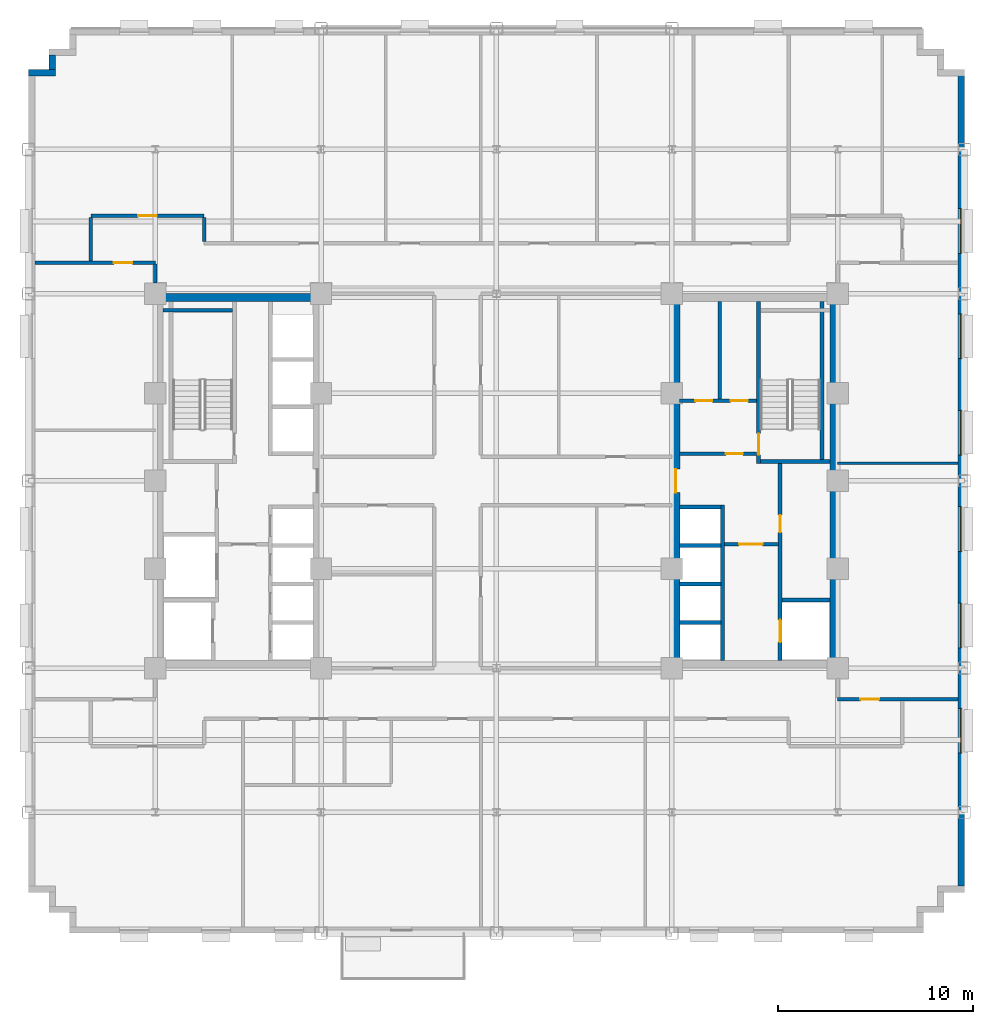
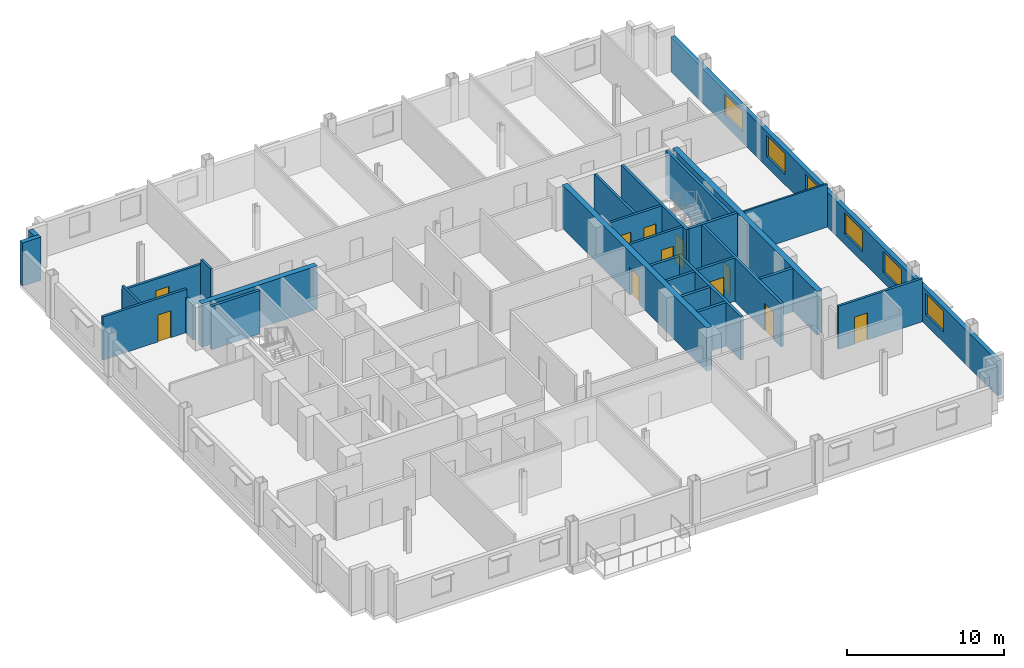
# One storey, part 8 of 14: 28 walls, 11 doors, 6 windows, 17 openings.
"""IFC4 building model written with IfcOpenShell, lengths in metres."""

import ifcopenshell
import ifcopenshell.guid

model = None  # the IFC model being written
_history = None  # IfcOwnerHistory: only IFC2X3 demands one
_inside = {}  # id of a spatial element -> (the spatial element, [elements in it])
_under = {}  # id of a project, library or spatial element -> (it, [spatial elements below it])
_declared = {}  # id of a project -> (the project, [libraries it declares])
_typed = {}  # id of a type object -> (the type object, [elements of that type])
_made_of = {}  # id of a material, layer set ... -> (it, [elements and type objects made of it])


def new_model(schema):
    """Start an empty IFC model of exactly this schema.

    Asked for "IFC4X3", IfcOpenShell would pick the latest addendum, in which some entities
    have other attributes; the version numbers below select the first issue.
    IFC2X3 requires an IfcOwnerHistory on every rooted entity: one is made here for all.
    """
    global model, _history
    if schema == "IFC4X3":
        model = ifcopenshell.file(schema_version=(4, 3, 0, 0))
    else:
        model = ifcopenshell.file(schema=schema)
    _inside.clear()
    _under.clear()
    _declared.clear()
    _typed.clear()
    _made_of.clear()
    _history = None
    if model.schema == "IFC2X3":
        org = make("IfcOrganization", Name="unknown")
        user = make(
            "IfcPersonAndOrganization",
            ThePerson=make("IfcPerson", FamilyName="unknown"),
            TheOrganization=org,
        )
        app = make(
            "IfcApplication",
            ApplicationDeveloper=org,
            Version="unknown",
            ApplicationFullName="unknown",
            ApplicationIdentifier="unknown",
        )
        _history = make(
            "IfcOwnerHistory",
            OwningUser=user,
            OwningApplication=app,
            ChangeAction="ADDED",
            CreationDate=0,
        )
    return model


def make(cls, **values):
    """One entity of the class cls with the attributes given. An attribute that is None is left unset."""
    return model.create_entity(
        cls, **{name: value for name, value in values.items() if value is not None}
    )


def rooted(cls, **values):
    """An entity with a GlobalId (a new one), such as an element, a storey or a relation."""
    return make(cls, GlobalId=ifcopenshell.guid.new(), OwnerHistory=_history, **values)


def si_unit(unit_type, name, prefix=None):
    """IfcSIUnit, for example si_unit("LENGTHUNIT", "METRE", prefix="MILLI")."""
    return make("IfcSIUnit", UnitType=unit_type, Prefix=prefix, Name=name)


def assignment(units):
    """IfcUnitAssignment: the units of a project."""
    return None if units is None else make("IfcUnitAssignment", Units=units)


def point(xyz):
    """IfcCartesianPoint."""
    return None if xyz is None else make("IfcCartesianPoint", Coordinates=xyz)


def direction(xyz):
    """IfcDirection."""
    return None if xyz is None else make("IfcDirection", DirectionRatios=xyz)


def frame(location, z_axis=None, x_axis=None):
    """IfcAxis2Placement3D, a coordinate frame: its origin and axes. An axis left out is left unset."""
    return make(
        "IfcAxis2Placement3D",
        Location=point(location),
        Axis=direction(z_axis),
        RefDirection=direction(x_axis),
    )


def frame_2d(location, x_axis=None):
    """IfcAxis2Placement2D, a coordinate frame in the plane: its origin and x axis."""
    return make(
        "IfcAxis2Placement2D", Location=point(location), RefDirection=direction(x_axis)
    )


def origin():
    """The frame at (0, 0, 0) with its axes left unset."""
    return frame((0.0, 0.0, 0.0))


def place(relative_to, where):
    """IfcLocalPlacement: puts the frame where relative to a parent placement (None: the world)."""
    return make(
        "IfcLocalPlacement", PlacementRelTo=relative_to, RelativePlacement=where
    )


def context(
    kind, dimensions, precision=None, world=None, true_north=None, identifier=None
):
    """IfcGeometricRepresentationContext, for example the 3D "Model" context."""
    return make(
        "IfcGeometricRepresentationContext",
        ContextIdentifier=identifier,
        ContextType=kind,
        CoordinateSpaceDimension=dimensions,
        Precision=precision,
        WorldCoordinateSystem=world,
        TrueNorth=true_north,
    )


def subcontext(parent, identifier, kind, view, scale=None):
    """IfcGeometricRepresentationSubContext, for example "Body" below "Model"."""
    return make(
        "IfcGeometricRepresentationSubContext",
        ContextIdentifier=identifier,
        ContextType=kind,
        ParentContext=parent,
        TargetScale=scale,
        TargetView=view,
    )


def project(units=None, contexts=None):
    """IfcProject with its units and contexts."""
    return rooted(
        "IfcProject",
        Name="project",
        RepresentationContexts=contexts,
        UnitsInContext=assignment(units),
    )


def spatial(cls, under=None, at=None, **own):
    """A site, building, storey or space (cls), placed at a placement, below another one or the project."""
    s = rooted(cls, ObjectPlacement=at, **own)
    if under is not None:
        _under.setdefault(under.id(), (under, []))[1].append(s)
    return s


def profile(cls, at=None, kind="AREA", **sizes):
    """A parametric profile (cls). Its sizes go by their IFC names, for example OverallWidth=200.0."""
    return make(cls, ProfileType=kind, Position=at, **sizes)


def rectangle(**sizes):
    """IfcRectangleProfileDef."""
    return profile("IfcRectangleProfileDef", **sizes)


def extrude(swept, where, along, depth):
    """IfcExtrudedAreaSolid: the profile swept, set in the frame where, extruded along a direction by depth."""
    return make(
        "IfcExtrudedAreaSolid",
        SweptArea=swept,
        Position=where,
        ExtrudedDirection=direction(along),
        Depth=depth,
    )


def shape(context_of_items, identifier, shape_type, items):
    """IfcShapeRepresentation: the items that make up one representation, for example the "Body"."""
    return make(
        "IfcShapeRepresentation",
        ContextOfItems=context_of_items,
        RepresentationIdentifier=identifier,
        RepresentationType=shape_type,
        Items=items,
    )


def source(mapping_origin, context_of_items, identifier, shape_type, items):
    """IfcRepresentationMap: a shape defined once, which mapped items show again and again."""
    return make(
        "IfcRepresentationMap",
        MappingOrigin=mapping_origin,
        MappedRepresentation=shape(context_of_items, identifier, shape_type, items),
    )


def transform(
    local_origin,
    x_axis=None,
    y_axis=None,
    z_axis=None,
    scale=None,
    scale2=None,
    scale3=None,
    uniform=True,
):
    """IfcCartesianTransformationOperator3D, or its non-uniform kind. x_axis, y_axis, z_axis: its Axis1, 2, 3."""
    if uniform:
        return make(
            "IfcCartesianTransformationOperator3D",
            Axis1=direction(x_axis),
            Axis2=direction(y_axis),
            LocalOrigin=point(local_origin),
            Scale=scale,
            Axis3=direction(z_axis),
        )
    return make(
        "IfcCartesianTransformationOperator3DnonUniform",
        Axis1=direction(x_axis),
        Axis2=direction(y_axis),
        LocalOrigin=point(local_origin),
        Scale=scale,
        Axis3=direction(z_axis),
        Scale2=scale2,
        Scale3=scale3,
    )


def mapped(mapping_source, mapping_target):
    """IfcMappedItem: shows the shape of a source again, moved by a transform."""
    return make(
        "IfcMappedItem", MappingSource=mapping_source, MappingTarget=mapping_target
    )


def material(Name=None, Category=None):
    """IfcMaterial."""
    return make("IfcMaterial", Name=Name, Category=Category)


def layer(
    of_material, thickness, ventilated=None, Name=None, Category=None, Priority=None
):
    """IfcMaterialLayer: one layer of a wall or slab, of a material (None: an air gap)."""
    return make(
        "IfcMaterialLayer",
        Material=of_material,
        LayerThickness=thickness,
        IsVentilated=ventilated,
        Name=Name,
        Category=Category,
        Priority=Priority,
    )


def layer_set(layers, Name=None):
    """IfcMaterialLayerSet."""
    return make("IfcMaterialLayerSet", MaterialLayers=layers, LayerSetName=Name)


def made_of(thing, what):
    """Note that an element or type object is made of a material, layer set ...; save() writes the relation."""
    if what is not None:
        _made_of.setdefault(what.id(), (what, []))[1].append(thing)
    return thing


def type_object(cls, material=None, **own):
    """A type object (cls), such as IfcWallType, which elements share."""
    return made_of(rooted(cls, **own), material)


def type_shapes(of_type, sources):
    """Give a type object the sources (RepresentationMaps) that its elements show as mapped items."""
    of_type.RepresentationMaps = sources


def element(
    cls,
    number,
    at=None,
    inside=None,
    cuts=None,
    type_object=None,
    material=None,
    context=None,
    identifier="Body",
    shape_type=None,
    held_by="IfcProductDefinitionShape",
    body=None,
    shapes=None,
    **own,
):
    """One element of the class cls, such as IfcWall. Its Tag is "e" and its number.

    at: its placement. inside: the storey or other place that contains it. cuts: it is an
    opening in that element (IfcRelVoidsElement). A single representation is given by context,
    identifier, shape_type and body (its items); several are given by shapes. held_by: the class
    of the entity that holds the representations. save() writes the other relations.
    """
    e = rooted(cls, Tag="e%d" % number, ObjectPlacement=at, **own)
    if body is not None:
        shapes = [shape(context, identifier, shape_type, body)]
    if shapes is not None:
        e.Representation = make(held_by, Representations=shapes)
    if inside is not None:
        _inside.setdefault(inside.id(), (inside, []))[1].append(e)
    if cuts is not None:
        rooted(
            "IfcRelVoidsElement", RelatingBuildingElement=cuts, RelatedOpeningElement=e
        )
    if type_object is not None:
        _typed.setdefault(type_object.id(), (type_object, []))[1].append(e)
    return made_of(e, material)


def fill(opening, filler):
    """IfcRelFillsElement: the door or window that sits in an opening."""
    return rooted(
        "IfcRelFillsElement",
        RelatingOpeningElement=opening,
        RelatedBuildingElement=filler,
    )


def aggregate(whole, parts):
    """IfcRelAggregates: a whole, such as a stair, and the parts it consists of."""
    return rooted("IfcRelAggregates", RelatingObject=whole, RelatedObjects=parts)


def save(model, path):
    """Write the relations noted so far, then the file.

    IfcRelAggregates (storeys below a building ...), IfcRelContainedInSpatialStructure (elements
    in a storey), IfcRelDefinesByType, IfcRelAssociatesMaterial and IfcRelDeclares: one each for
    every whole, place, type object, material and project.
    """
    for whole, parts in _under.values():
        aggregate(whole, parts)
    for where, things in _inside.values():
        rooted(
            "IfcRelContainedInSpatialStructure",
            RelatedElements=things,
            RelatingStructure=where,
        )
    for kind, things in _typed.values():
        rooted("IfcRelDefinesByType", RelatedObjects=things, RelatingType=kind)
    for what, things in _made_of.values():
        rooted("IfcRelAssociatesMaterial", RelatedObjects=things, RelatingMaterial=what)
    for by, libraries in _declared.values():
        rooted("IfcRelDeclares", RelatingContext=by, RelatedDefinitions=libraries)
    model.write(path)


model = new_model("IFC4")

# Units and contexts
model_context = context("Model", 3, precision=1e-05, world=origin(), true_north=direction((0.0, 1.0)))
body_context = subcontext(model_context, "Body", "Model", "MODEL_VIEW")
ifc_project = project(units=[si_unit("LENGTHUNIT", "METRE"), si_unit("AREAUNIT", "SQUARE_METRE"), si_unit("VOLUMEUNIT", "CUBIC_METRE"), si_unit("PLANEANGLEUNIT", "RADIAN"), si_unit("MASSUNIT", "GRAM", prefix="KILO")], contexts=[model_context])

# Site, building, storey
site_placement = place(None, origin())
site = spatial("IfcSite", under=ifc_project, at=site_placement, CompositionType="ELEMENT")
building_placement = place(site_placement, origin())
building = spatial("IfcBuilding", under=site, at=building_placement, Name="Nuvemarco Arch Tower", CompositionType="ELEMENT")
storey_placement = place(building_placement, frame((0.0, 0.0, 109.25)))
storey = spatial("IfcBuildingStorey", under=building, at=storey_placement, Name="L28", CompositionType="ELEMENT", Elevation=109.25)

# Wall, openings, windows
ifc_material_1 = material(Name="Precast concrete C45/55", Category="concrete")
ifc_layer_1 = layer(ifc_material_1, 0.320068359375, Name="EW-MID-320")
ifc_layer_set_1 = layer_set([ifc_layer_1], Name="Precast concrete C45/55")
wall_type_1 = type_object("IfcWallType", Name="EW-MID-320", PredefinedType="STANDARD", material=ifc_layer_set_1)
wall_1_placement = place(storey_placement, frame((23.840087890625, -20.783935546875, 0.0), z_axis=(0.0, 0.0, 1.0), x_axis=(0.0, 1.0, 0.0)))
wall_1 = element("IfcWall", 1, at=wall_1_placement, inside=storey, type_object=wall_type_1, Name="L28 exterior precast facade wall 6", PredefinedType="STANDARD", context=body_context, shape_type="SweptSolid", body=[
    extrude(rectangle(XDim=41.56787109375, YDim=0.320068359375, at=frame_2d((20.783935546875, 0.0))), origin(), (0.0, 0.0, 1.0), 2.705078125),
])
opening_1_placement = place(wall_1_placement, frame((6.819091796875, 0.0, 0.800048828125)))
opening_1 = element("IfcOpeningElement", 2, at=opening_1_placement, cuts=wall_1, Name="Opening WN-10", PredefinedType="OPENING", context=body_context, shape_type="SweptSolid", body=[
    extrude(rectangle(XDim=2.300048828125, YDim=1.6201171875, at=frame_2d((1.14990234375, 0.81005859375))), frame((0.0, 0.169921875, 0.0), z_axis=(0.0, -1.0, 0.0), x_axis=(1.0, 0.0, 0.0)), (0.0, 0.0, 1.0), 0.340087890625),
])
opening_2_placement = place(wall_1_placement, frame((12.215087890625, 0.0, 0.800048828125)))
opening_2 = element("IfcOpeningElement", 3, at=opening_2_placement, cuts=wall_1, Name="Opening WN-10", PredefinedType="OPENING", context=body_context, shape_type="SweptSolid", body=[
    extrude(rectangle(XDim=2.300048828125, YDim=1.6201171875, at=frame_2d((1.14990234375, 0.81005859375))), frame((0.0, 0.169921875, 0.0), z_axis=(0.0, -1.0, 0.0), x_axis=(1.0, 0.0, 0.0)), (0.0, 0.0, 1.0), 0.340087890625),
])
opening_3_placement = place(wall_1_placement, frame((17.160888671875, 0.0, 0.800048828125)))
opening_3 = element("IfcOpeningElement", 4, at=opening_3_placement, cuts=wall_1, Name="Opening WN-10", PredefinedType="OPENING", context=body_context, shape_type="SweptSolid", body=[
    extrude(rectangle(XDim=2.300048828125, YDim=1.6201171875, at=frame_2d((1.14990234375, 0.81005859375))), frame((0.0, 0.169921875, 0.0), z_axis=(0.0, -1.0, 0.0), x_axis=(1.0, 0.0, 0.0)), (0.0, 0.0, 1.0), 0.340087890625),
])
opening_4_placement = place(wall_1_placement, frame((22.10693359375, 0.0, 0.800048828125)))
opening_4 = element("IfcOpeningElement", 5, at=opening_4_placement, cuts=wall_1, Name="Opening WN-10", PredefinedType="OPENING", context=body_context, shape_type="SweptSolid", body=[
    extrude(rectangle(XDim=2.300048828125, YDim=1.6201171875, at=frame_2d((1.14990234375, 0.81005859375))), frame((0.0, 0.169921875, 0.0), z_axis=(0.0, -1.0, 0.0), x_axis=(1.0, 0.0, 0.0)), (0.0, 0.0, 1.0), 0.340087890625),
])
opening_5_placement = place(wall_1_placement, frame((27.052978515625, 0.0, 0.800048828125)))
opening_5 = element("IfcOpeningElement", 6, at=opening_5_placement, cuts=wall_1, Name="Opening WN-10", PredefinedType="OPENING", context=body_context, shape_type="SweptSolid", body=[
    extrude(rectangle(XDim=2.300048828125, YDim=1.6201171875, at=frame_2d((1.14990234375, 0.81005859375))), frame((0.0, 0.169921875, 0.0), z_axis=(0.0, -1.0, 0.0), x_axis=(1.0, 0.0, 0.0)), (0.0, 0.0, 1.0), 0.340087890625),
])
opening_6_placement = place(wall_1_placement, frame((32.448974609375, 0.0, 0.800048828125)))
opening_6 = element("IfcOpeningElement", 7, at=opening_6_placement, cuts=wall_1, Name="Opening WN-10", PredefinedType="OPENING", context=body_context, shape_type="SweptSolid", body=[
    extrude(rectangle(XDim=2.300048828125, YDim=1.6201171875, at=frame_2d((1.14990234375, 0.81005859375))), frame((0.0, 0.169921875, 0.0), z_axis=(0.0, -1.0, 0.0), x_axis=(1.0, 0.0, 0.0)), (0.0, 0.0, 1.0), 0.340087890625),
])
ifc_material_2 = material(Name="Insulated solar-control glass", Category="glass")
window_type = type_object("IfcWindowType", Name="WN-STEP-2300x1700", PartitioningType="DOUBLE_PANEL_VERTICAL", PredefinedType="WINDOW", material=ifc_material_2)
shared_shape_1 = source(origin(), body_context, "Body", "SweptSolid", [
    extrude(rectangle(XDim=2.300048828125, YDim=1.6201171875, at=frame_2d((1.14990234375, 0.81005859375))), frame((0.0, 0.030029296875, 0.0), z_axis=(0.0, -1.0, 0.0), x_axis=(1.0, 0.0, 0.0)), (0.0, 0.0, 1.0), 0.06005859375),
])
type_shapes(window_type, [shared_shape_1])
window_1_placement = place(opening_1_placement, origin())
window_1 = element("IfcWindow", 8, at=window_1_placement, inside=storey, type_object=window_type, Name="L28 punched facade window 2", OverallHeight=1.6201171875, OverallWidth=2.300048828125, PartitioningType="SINGLE_PANEL", PredefinedType="WINDOW", context=body_context, shape_type="MappedRepresentation", body=[
    mapped(shared_shape_1, transform((0.0, 0.0, 0.0), scale=1.0)),
])
fill(opening_1, window_1)
window_2_placement = place(opening_2_placement, origin())
window_2 = element("IfcWindow", 9, at=window_2_placement, inside=storey, type_object=window_type, Name="L28 punched facade window 3", OverallHeight=1.6201171875, OverallWidth=2.300048828125, PartitioningType="SINGLE_PANEL", PredefinedType="WINDOW", context=body_context, shape_type="MappedRepresentation", body=[
    mapped(shared_shape_1, transform((0.0, 0.0, 0.0), scale=1.0)),
])
fill(opening_2, window_2)
window_3_placement = place(opening_3_placement, origin())
window_3 = element("IfcWindow", 10, at=window_3_placement, inside=storey, type_object=window_type, Name="L28 punched facade window 4", OverallHeight=1.6201171875, OverallWidth=2.300048828125, PartitioningType="SINGLE_PANEL", PredefinedType="WINDOW", context=body_context, shape_type="MappedRepresentation", body=[
    mapped(shared_shape_1, transform((0.0, 0.0, 0.0), scale=1.0)),
])
fill(opening_3, window_3)
window_4_placement = place(opening_4_placement, origin())
window_4 = element("IfcWindow", 11, at=window_4_placement, inside=storey, type_object=window_type, Name="L28 punched facade window 5", OverallHeight=1.6201171875, OverallWidth=2.300048828125, PartitioningType="SINGLE_PANEL", PredefinedType="WINDOW", context=body_context, shape_type="MappedRepresentation", body=[
    mapped(shared_shape_1, transform((0.0, 0.0, 0.0), scale=1.0)),
])
fill(opening_4, window_4)
window_5_placement = place(opening_5_placement, origin())
window_5 = element("IfcWindow", 12, at=window_5_placement, inside=storey, type_object=window_type, Name="L28 punched facade window 6", OverallHeight=1.6201171875, OverallWidth=2.300048828125, PartitioningType="SINGLE_PANEL", PredefinedType="WINDOW", context=body_context, shape_type="MappedRepresentation", body=[
    mapped(shared_shape_1, transform((0.0, 0.0, 0.0), scale=1.0)),
])
fill(opening_5, window_5)
window_6_placement = place(opening_6_placement, origin())
window_6 = element("IfcWindow", 13, at=window_6_placement, inside=storey, type_object=window_type, Name="L28 punched facade window 7", OverallHeight=1.6201171875, OverallWidth=2.300048828125, PartitioningType="SINGLE_PANEL", PredefinedType="WINDOW", context=body_context, shape_type="MappedRepresentation", body=[
    mapped(shared_shape_1, transform((0.0, 0.0, 0.0), scale=1.0)),
])
fill(opening_6, window_6)

# Walls
wall_2_placement = place(storey_placement, frame((-22.7900390625, 21.095947265625, 0.0), z_axis=(0.0, 0.0, 1.0), x_axis=(0.0, 1.0, 0.0)))
element("IfcWall", 14, at=wall_2_placement, inside=storey, type_object=wall_type_1, Name="L28 exterior precast facade wall 14", PredefinedType="STANDARD", context=body_context, shape_type="SweptSolid", body=[
    extrude(rectangle(XDim=0.738037109375, YDim=0.320068359375, at=frame_2d((0.369140625, 0.0))), origin(), (0.0, 0.0, 1.0), 3.360107421875),
])
wall_3_placement = place(storey_placement, frame((-24.0, 20.93994140625, 0.0), z_axis=(0.0, 0.0, 1.0), x_axis=(1.0, 0.0, 0.0)))
element("IfcWall", 15, at=wall_3_placement, inside=storey, type_object=wall_type_1, Name="L28 exterior precast facade wall 15", PredefinedType="STANDARD", context=body_context, shape_type="SweptSolid", body=[
    extrude(rectangle(XDim=1.3701171875, YDim=0.320068359375, at=frame_2d((0.68505859375, 0.0))), origin(), (0.0, 0.0, 1.0), 3.360107421875),
])
ifc_material_3 = material(Name="Concrete C60/75", Category="concrete")
ifc_layer_2 = layer(ifc_material_3, 0.39990234375, Name="WL-CORE-400")
ifc_layer_set_2 = layer_set([ifc_layer_2], Name="Concrete C60/75")
wall_type_2 = type_object("IfcWallType", Name="WL-CORE-400", PredefinedType="SHEAR", material=ifc_layer_set_2)
wall_4_placement = place(storey_placement, frame((-17.5, 9.39990234375, 0.0), z_axis=(0.0, 0.0, 1.0), x_axis=(1.0, 0.0, 0.0)))
element("IfcWall", 16, at=wall_4_placement, inside=storey, type_object=wall_type_2, Name="L28 W-core shear wall N", PredefinedType="SHEAR", context=body_context, shape_type="SweptSolid", body=[
    extrude(rectangle(XDim=8.5, YDim=0.39990234375, at=frame_2d((4.25, 0.0))), origin(), (0.0, 0.0, 1.0), 3.3701171875),
])

# Wall, opening, door
wall_5_placement = place(storey_placement, frame((9.199951171875, -9.205078125, 0.0), z_axis=(0.0, 0.0, 1.0), x_axis=(0.0, 1.0, 0.0)))
wall_5 = element("IfcWall", 17, at=wall_5_placement, inside=storey, type_object=wall_type_2, Name="L28 E-core shear wall W", PredefinedType="SHEAR", context=body_context, shape_type="SweptSolid", body=[
    extrude(rectangle(XDim=18.41015625, YDim=0.39990234375, at=frame_2d((9.205078125, 0.0))), origin(), (0.0, 0.0, 1.0), 3.3701171875),
])
opening_7_placement = place(wall_5_placement, frame((8.60498046875, 0.0, 0.0)))
opening_7 = element("IfcOpeningElement", 18, at=opening_7_placement, cuts=wall_5, Name="Opening FD-2", PredefinedType="OPENING", context=body_context, shape_type="SweptSolid", body=[
    extrude(rectangle(XDim=1.199951171875, YDim=2.14990234375, at=frame_2d((0.60009765625, 1.074951171875))), frame((0.0, 0.2099609375, 0.0), z_axis=(0.0, -1.0, 0.0), x_axis=(1.0, 0.0, 0.0)), (0.0, 0.0, 1.0), 0.419921875),
])
ifc_material_4 = material(Name="Anodised steel fire door", Category="steel")
door_type_1 = type_object("IfcDoorType", Name="DR-FFLOB-FD", OperationType="NOTDEFINED", PredefinedType="DOOR", material=ifc_material_4)
shared_shape_2 = source(origin(), body_context, "Body", "SweptSolid", [
    extrude(rectangle(XDim=1.199951171875, YDim=2.14990234375, at=frame_2d((0.60009765625, 1.074951171875))), frame((0.0, 0.02490234375, 0.0), z_axis=(0.0, -1.0, 0.0), x_axis=(1.0, 0.0, 0.0)), (0.0, 0.0, 1.0), 0.050048828125),
])
type_shapes(door_type_1, [shared_shape_2])
door_1_placement = place(opening_7_placement, origin())
door_1 = element("IfcDoor", 19, at=door_1_placement, inside=storey, type_object=door_type_1, Name="L28 door FD-L28-ECORE-W", OperationType="SINGLE_SWING_RIGHT", OverallHeight=2.14990234375, OverallWidth=1.199951171875, PredefinedType="DOOR", context=body_context, shape_type="MappedRepresentation", body=[
    mapped(shared_shape_2, transform((0.0, 0.0, 0.0), scale=1.0)),
])
fill(opening_7, door_1)

# Wall
wall_6_placement = place(storey_placement, frame((17.300048828125, -9.205078125, 0.0), z_axis=(0.0, 0.0, 1.0), x_axis=(0.0, 1.0, 0.0)))
element("IfcWall", 20, at=wall_6_placement, inside=storey, type_object=wall_type_2, Name="L28 E-core shear wall E", PredefinedType="SHEAR", context=body_context, shape_type="SweptSolid", body=[
    extrude(rectangle(XDim=18.41015625, YDim=0.39990234375, at=frame_2d((9.205078125, 0.0))), origin(), (0.0, 0.0, 1.0), 3.3701171875),
])

# Wall, opening, door
ifc_material_5 = material(Name="Fire-rated gypsum drywall partition")
ifc_layer_3 = layer(ifc_material_5, 0.179931640625, Name="WL-CORR-180")
ifc_layer_set_3 = layer_set([ifc_layer_3], Name="Fire-rated gypsum drywall partition")
wall_type_3 = type_object("IfcWallType", Name="WL-CORR-180", PredefinedType="PARTITIONING", material=ifc_layer_set_3)
wall_7_placement = place(storey_placement, frame((9.39501953125, 1.39990234375, 0.0), z_axis=(0.0, 0.0, 1.0), x_axis=(1.0, 0.0, 0.0)))
wall_7 = element("IfcWall", 21, at=wall_7_placement, inside=storey, type_object=wall_type_3, Name="L28 interior wall IW-L28-EK-S", PredefinedType="PARTITIONING", context=body_context, shape_type="SweptSolid", body=[
    extrude(rectangle(XDim=3.949951171875, YDim=0.179931640625, at=frame_2d((1.97509765625, 0.0))), origin(), (0.0, 0.0, 1.0), 3.360107421875),
])
opening_8_placement = place(wall_7_placement, frame((2.364990234375, 0.0, 0.0)))
opening_8 = element("IfcOpeningElement", 22, at=opening_8_placement, cuts=wall_7, Name="Opening FD-4", PredefinedType="OPENING", context=body_context, shape_type="SweptSolid", body=[
    extrude(rectangle(XDim=0.8798828125, YDim=2.10009765625, at=frame_2d((0.43994140625, 1.050048828125))), frame((0.0, 0.099853515625, 0.0), z_axis=(0.0, -1.0, 0.0), x_axis=(1.0, 0.0, 0.0)), (0.0, 0.0, 1.0), 0.199951171875),
])
door_type_2 = type_object("IfcDoorType", Name="DR-RISER-FD", OperationType="NOTDEFINED", PredefinedType="DOOR", material=ifc_material_4)
shared_shape_3 = source(origin(), body_context, "Body", "SweptSolid", [
    extrude(rectangle(XDim=0.8798828125, YDim=2.10009765625, at=frame_2d((0.43994140625, 1.050048828125))), frame((0.0, 0.02490234375, 0.0), z_axis=(0.0, -1.0, 0.0), x_axis=(1.0, 0.0, 0.0)), (0.0, 0.0, 1.0), 0.050048828125),
])
type_shapes(door_type_2, [shared_shape_3])
door_2_placement = place(opening_8_placement, origin())
door_2 = element("IfcDoor", 23, at=door_2_placement, inside=storey, type_object=door_type_2, Name="L28 door FD-L28-EK3A", OperationType="SINGLE_SWING_LEFT", OverallHeight=2.10009765625, OverallWidth=0.8798828125, PredefinedType="DOOR", context=body_context, shape_type="MappedRepresentation", body=[
    mapped(shared_shape_3, transform((0.0, 0.0, 0.0), scale=1.0)),
])
fill(opening_8, door_2)

# Wall, openings, doors
wall_8_placement = place(storey_placement, frame((9.39501953125, 4.10009765625, 0.0), z_axis=(0.0, 0.0, 1.0), x_axis=(1.0, 0.0, 0.0)))
wall_8 = element("IfcWall", 24, at=wall_8_placement, inside=storey, type_object=wall_type_3, Name="L28 interior wall IW-L28-EK3H", PredefinedType="PARTITIONING", context=body_context, shape_type="SweptSolid", body=[
    extrude(rectangle(XDim=3.949951171875, YDim=0.179931640625, at=frame_2d((1.97509765625, 0.0))), origin(), (0.0, 0.0, 1.0), 3.360107421875),
])
opening_9_placement = place(wall_8_placement, frame((0.800048828125, 0.0, 0.0)))
opening_9 = element("IfcOpeningElement", 25, at=opening_9_placement, cuts=wall_8, Name="Opening FD-4", PredefinedType="OPENING", context=body_context, shape_type="SweptSolid", body=[
    extrude(rectangle(XDim=0.8798828125, YDim=2.10009765625, at=frame_2d((0.43994140625, 1.050048828125))), frame((0.0, 0.099853515625, 0.0), z_axis=(0.0, -1.0, 0.0), x_axis=(1.0, 0.0, 0.0)), (0.0, 0.0, 1.0), 0.199951171875),
])
opening_10_placement = place(wall_8_placement, frame((2.614990234375, 0.0, 0.0)))
opening_10 = element("IfcOpeningElement", 26, at=opening_10_placement, cuts=wall_8, Name="Opening FD-4", PredefinedType="OPENING", context=body_context, shape_type="SweptSolid", body=[
    extrude(rectangle(XDim=0.8798828125, YDim=2.10009765625, at=frame_2d((0.43994140625, 1.050048828125))), frame((0.0, 0.099853515625, 0.0), z_axis=(0.0, -1.0, 0.0), x_axis=(1.0, 0.0, 0.0)), (0.0, 0.0, 1.0), 0.199951171875),
])
door_3_placement = place(opening_9_placement, origin())
door_3 = element("IfcDoor", 27, at=door_3_placement, inside=storey, type_object=door_type_2, Name="L28 door FD-L28-EK3B", OperationType="SINGLE_SWING_RIGHT", OverallHeight=2.10009765625, OverallWidth=0.8798828125, PredefinedType="DOOR", context=body_context, shape_type="MappedRepresentation", body=[
    mapped(shared_shape_3, transform((0.0, 0.0, 0.0), scale=1.0)),
])
fill(opening_9, door_3)
door_4_placement = place(opening_10_placement, origin())
door_4 = element("IfcDoor", 28, at=door_4_placement, inside=storey, type_object=door_type_2, Name="L28 door FD-L28-EK3C", OperationType="SINGLE_SWING_LEFT", OverallHeight=2.10009765625, OverallWidth=0.8798828125, PredefinedType="DOOR", context=body_context, shape_type="MappedRepresentation", body=[
    mapped(shared_shape_3, transform((0.0, 0.0, 0.0), scale=1.0)),
])
fill(opening_10, door_4)

# Wall
wall_9_placement = place(storey_placement, frame((11.449951171875, 4.18994140625, 0.0), z_axis=(0.0, 0.0, 1.0), x_axis=(0.0, 1.0, 0.0)))
element("IfcWall", 29, at=wall_9_placement, inside=storey, type_object=wall_type_3, Name="L28 interior wall IW-L28-EK3V", PredefinedType="PARTITIONING", context=body_context, shape_type="SweptSolid", body=[
    extrude(rectangle(XDim=5.01513671875, YDim=0.179931640625, at=frame_2d((2.507568359375, 0.0))), origin(), (0.0, 0.0, 1.0), 3.360107421875),
])

# Wall, opening, door
wall_10_placement = place(storey_placement, frame((17.5, -11.199951171875, 0.0), z_axis=(0.0, 0.0, 1.0), x_axis=(1.0, 0.0, 0.0)))
wall_10 = element("IfcWall", 30, at=wall_10_placement, inside=storey, type_object=wall_type_3, Name="L28 interior wall IW-L28-006", PredefinedType="PARTITIONING", context=body_context, shape_type="SweptSolid", body=[
    extrude(rectangle(XDim=6.179931640625, YDim=0.179931640625, at=frame_2d((3.08984375, 0.0))), origin(), (0.0, 0.0, 1.0), 3.360107421875),
])
opening_11_placement = place(wall_10_placement, frame((1.169921875, 0.0, 0.0)))
opening_11 = element("IfcOpeningElement", 31, at=opening_11_placement, cuts=wall_10, Name="Opening FD-5", PredefinedType="OPENING", context=body_context, shape_type="SweptSolid", body=[
    extrude(rectangle(XDim=0.9599609375, YDim=2.10009765625, at=frame_2d((0.47998046875, 1.050048828125))), frame((0.0, 0.099853515625, 0.0), z_axis=(0.0, -1.0, 0.0), x_axis=(1.0, 0.0, 0.0)), (0.0, 0.0, 1.0), 0.199951171875),
])
ifc_material_6 = material(Name="Timber fire door", Category="wood")
door_type_3 = type_object("IfcDoorType", Name="DR-CORR-FD", OperationType="NOTDEFINED", PredefinedType="DOOR", material=ifc_material_6)
shared_shape_4 = source(origin(), body_context, "Body", "SweptSolid", [
    extrude(rectangle(XDim=0.9599609375, YDim=2.10009765625, at=frame_2d((0.47998046875, 1.050048828125))), frame((0.0, 0.02490234375, 0.0), z_axis=(0.0, -1.0, 0.0), x_axis=(1.0, 0.0, 0.0)), (0.0, 0.0, 1.0), 0.050048828125),
])
type_shapes(door_type_3, [shared_shape_4])
door_5_placement = place(opening_11_placement, origin())
door_5 = element("IfcDoor", 32, at=door_5_placement, inside=storey, type_object=door_type_3, Name="L28 door DR-L28-E_1", OperationType="SINGLE_SWING_RIGHT", OverallHeight=2.10009765625, OverallWidth=0.9599609375, PredefinedType="DOOR", context=body_context, shape_type="MappedRepresentation", body=[
    mapped(shared_shape_4, transform((0.0, 0.0, 0.0), scale=1.0)),
])
fill(opening_11, door_5)

wall_11_placement = place(storey_placement, frame((-23.679931640625, 11.199951171875, 0.0), z_axis=(0.0, 0.0, 1.0), x_axis=(1.0, 0.0, 0.0)))
wall_11 = element("IfcWall", 33, at=wall_11_placement, inside=storey, type_object=wall_type_3, Name="L28 interior wall IW-L28-020", PredefinedType="PARTITIONING", context=body_context, shape_type="SweptSolid", body=[
    extrude(rectangle(XDim=6.179931640625, YDim=0.179931640625, at=frame_2d((3.08984375, 0.0))), origin(), (0.0, 0.0, 1.0), 3.360107421875),
])
opening_12_placement = place(wall_11_placement, frame((4.050048828125, 0.0, 0.0)))
opening_12 = element("IfcOpeningElement", 34, at=opening_12_placement, cuts=wall_11, Name="Opening FD-5", PredefinedType="OPENING", context=body_context, shape_type="SweptSolid", body=[
    extrude(rectangle(XDim=0.9599609375, YDim=2.10009765625, at=frame_2d((0.47998046875, 1.050048828125))), frame((0.0, 0.099853515625, 0.0), z_axis=(0.0, -1.0, 0.0), x_axis=(1.0, 0.0, 0.0)), (0.0, 0.0, 1.0), 0.199951171875),
])
door_6_placement = place(opening_12_placement, origin())
door_6 = element("IfcDoor", 35, at=door_6_placement, inside=storey, type_object=door_type_3, Name="L28 door DR-L28-W_2", OperationType="SINGLE_SWING_LEFT", OverallHeight=2.10009765625, OverallWidth=0.9599609375, PredefinedType="DOOR", context=body_context, shape_type="MappedRepresentation", body=[
    mapped(shared_shape_4, transform((0.0, 0.0, 0.0), scale=1.0)),
])
fill(opening_12, door_6)

wall_12_placement = place(storey_placement, frame((-20.800048828125, 13.60009765625, 0.0), z_axis=(0.0, 0.0, 1.0), x_axis=(1.0, 0.0, 0.0)))
wall_12 = element("IfcWall", 36, at=wall_12_placement, inside=storey, type_object=wall_type_3, Name="L28 interior wall IW-L28-023", PredefinedType="PARTITIONING", context=body_context, shape_type="SweptSolid", body=[
    extrude(rectangle(XDim=5.800048828125, YDim=0.179931640625, at=frame_2d((2.89990234375, 0.0))), origin(), (0.0, 0.0, 1.0), 2.998046875),
])
opening_13_placement = place(wall_12_placement, frame((2.419921875, 0.0, 0.0)))
opening_13 = element("IfcOpeningElement", 37, at=opening_13_placement, cuts=wall_12, Name="Opening FD-5", PredefinedType="OPENING", context=body_context, shape_type="SweptSolid", body=[
    extrude(rectangle(XDim=0.9599609375, YDim=2.10009765625, at=frame_2d((0.47998046875, 1.050048828125))), frame((0.0, 0.099853515625, 0.0), z_axis=(0.0, -1.0, 0.0), x_axis=(1.0, 0.0, 0.0)), (0.0, 0.0, 1.0), 0.199951171875),
])
door_7_placement = place(opening_13_placement, origin())
door_7 = element("IfcDoor", 38, at=door_7_placement, inside=storey, type_object=door_type_3, Name="L28 door DR-L28-N_1", OperationType="SINGLE_SWING_LEFT", OverallHeight=2.10009765625, OverallWidth=0.9599609375, PredefinedType="DOOR", context=body_context, shape_type="MappedRepresentation", body=[
    mapped(shared_shape_4, transform((0.0, 0.0, 0.0), scale=1.0)),
])
fill(opening_13, door_7)

# Walls
wall_13_placement = place(storey_placement, frame((-20.800048828125, 11.285888671875, 0.0), z_axis=(0.0, 0.0, 1.0), x_axis=(0.0, 1.0, 0.0)))
element("IfcWall", 39, at=wall_13_placement, inside=storey, type_object=wall_type_3, Name="L28 interior wall IW-L28-026", PredefinedType="PARTITIONING", context=body_context, shape_type="SweptSolid", body=[
    extrude(rectangle(XDim=2.22802734375, YDim=0.179931640625, at=frame_2d((1.114013671875, 0.0))), origin(), (0.0, 0.0, 1.0), 3.360107421875),
])
wall_14_placement = place(storey_placement, frame((-17.5, 10.14599609375, 0.0), z_axis=(0.0, 0.0, 1.0), x_axis=(0.0, 1.0, 0.0)))
element("IfcWall", 40, at=wall_14_placement, inside=storey, type_object=wall_type_3, Name="L28 interior wall IW-L28-028", PredefinedType="PARTITIONING", context=body_context, shape_type="SweptSolid", body=[
    extrude(rectangle(XDim=0.968017578125, YDim=0.179931640625, at=frame_2d((0.48388671875, 0.0))), origin(), (0.0, 0.0, 1.0), 2.738037109375),
])
wall_15_placement = place(storey_placement, frame((-15.0, 12.285888671875, 0.0), z_axis=(0.0, 0.0, 1.0), x_axis=(0.0, 1.0, 0.0)))
element("IfcWall", 41, at=wall_15_placement, inside=storey, type_object=wall_type_3, Name="L28 interior wall IW-L28-030", PredefinedType="PARTITIONING", context=body_context, shape_type="SweptSolid", body=[
    extrude(rectangle(XDim=1.22802734375, YDim=0.179931640625, at=frame_2d((0.614013671875, 0.0))), origin(), (0.0, 0.0, 1.0), 3.360107421875),
])
ifc_material_7 = material(Name="Glazed acoustic office partition")
ifc_layer_4 = layer(ifc_material_7, 0.1298828125, Name="WL-EXEC-130")
ifc_layer_set_4 = layer_set([ifc_layer_4], Name="Glazed acoustic office partition")
wall_type_4 = type_object("IfcWallType", Name="WL-EXEC-130", PredefinedType="PARTITIONING", material=ifc_layer_set_4)
wall_16_placement = place(storey_placement, frame((17.5, 0.89990234375, 0.0), z_axis=(0.0, 0.0, 1.0), x_axis=(1.0, 0.0, 0.0)))
element("IfcWall", 42, at=wall_16_placement, inside=storey, type_object=wall_type_4, Name="L28 interior wall IW-L28-013", PredefinedType="PARTITIONING", context=body_context, shape_type="SweptSolid", body=[
    extrude(rectangle(XDim=6.179931640625, YDim=0.1298828125, at=frame_2d((3.08984375, 0.0))), origin(), (0.0, 0.0, 1.0), 3.360107421875),
])
ifc_material_8 = material(Name="Concrete C50/60", Category="concrete")
ifc_layer_5 = layer(ifc_material_8, 0.199951171875, Name="WL-SHAFT-220")
ifc_layer_set_5 = layer_set([ifc_layer_5], Name="Concrete C50/60")
wall_type_5 = type_object("IfcWallType", Name="WL-SHAFT-220", PredefinedType="SHEAR", material=ifc_layer_set_5)
wall_17_placement = place(storey_placement, frame((-17.10498046875, 8.75, 0.0), z_axis=(0.0, 0.0, 1.0), x_axis=(1.0, 0.0, 0.0)))
element("IfcWall", 43, at=wall_17_placement, inside=storey, type_object=wall_type_5, Name="L28 structural shaft wall SW-L28-W-ST1N", PredefinedType="SHEAR", context=body_context, shape_type="SweptSolid", body=[
    extrude(rectangle(XDim=3.570068359375, YDim=0.199951171875, at=frame_2d((1.78515625, 0.0))), origin(), (0.0, 0.0, 1.0), 3.3701171875),
])

# Wall, opening, door
wall_18_placement = place(storey_placement, frame((13.43994140625, 0.89990234375, 0.0), z_axis=(0.0, 0.0, 1.0), x_axis=(0.0, 1.0, 0.0)))
wall_18 = element("IfcWall", 44, at=wall_18_placement, inside=storey, type_object=wall_type_5, Name="L28 structural shaft wall SW-L28-E-ST2W", PredefinedType="SHEAR", context=body_context, shape_type="SweptSolid", body=[
    extrude(rectangle(XDim=8.30517578125, YDim=0.199951171875, at=frame_2d((4.152587890625, 0.0))), origin(), (0.0, 0.0, 1.0), 3.3701171875),
])
opening_14_placement = place(wall_18_placement, frame((0.429931640625, 0.0, 0.0)))
opening_14 = element("IfcOpeningElement", 45, at=opening_14_placement, cuts=wall_18, Name="Opening FD-1", PredefinedType="OPENING", context=body_context, shape_type="SweptSolid", body=[
    extrude(rectangle(XDim=1.10009765625, YDim=2.14990234375, at=frame_2d((0.550048828125, 1.074951171875))), frame((0.0, 0.10986328125, 0.0), z_axis=(0.0, -1.0, 0.0), x_axis=(1.0, 0.0, 0.0)), (0.0, 0.0, 1.0), 0.219970703125),
])
door_type_4 = type_object("IfcDoorType", Name="DR-STAIR-FD", OperationType="NOTDEFINED", PredefinedType="DOOR", material=ifc_material_4)
shared_shape_5 = source(origin(), body_context, "Body", "SweptSolid", [
    extrude(rectangle(XDim=1.10009765625, YDim=2.14990234375, at=frame_2d((0.550048828125, 1.074951171875))), frame((0.0, 0.02490234375, 0.0), z_axis=(0.0, -1.0, 0.0), x_axis=(1.0, 0.0, 0.0)), (0.0, 0.0, 1.0), 0.050048828125),
])
type_shapes(door_type_4, [shared_shape_5])
door_8_placement = place(opening_14_placement, origin())
door_8 = element("IfcDoor", 46, at=door_8_placement, inside=storey, type_object=door_type_4, Name="L28 door FD-L28-ST2", OperationType="SINGLE_SWING_RIGHT", OverallHeight=2.14990234375, OverallWidth=1.10009765625, PredefinedType="DOOR", context=body_context, shape_type="MappedRepresentation", body=[
    mapped(shared_shape_5, transform((0.0, 0.0, 0.0), scale=1.0)),
])
fill(opening_14, door_8)

# Walls
wall_19_placement = place(storey_placement, frame((13.534912109375, 1.0, 0.0), z_axis=(0.0, 0.0, 1.0), x_axis=(1.0, 0.0, 0.0)))
element("IfcWall", 47, at=wall_19_placement, inside=storey, type_object=wall_type_5, Name="L28 structural shaft wall SW-L28-E-ST2S", PredefinedType="SHEAR", context=body_context, shape_type="SweptSolid", body=[
    extrude(rectangle(XDim=3.570068359375, YDim=0.199951171875, at=frame_2d((1.78515625, 0.0))), origin(), (0.0, 0.0, 1.0), 3.3701171875),
])
wall_20_placement = place(storey_placement, frame((16.699951171875, 1.094970703125, 0.0), z_axis=(0.0, 0.0, 1.0), x_axis=(0.0, 1.0, 0.0)))
element("IfcWall", 48, at=wall_20_placement, inside=storey, type_object=wall_type_5, Name="L28 structural shaft wall SW-L28-E-ST2E", PredefinedType="SHEAR", context=body_context, shape_type="SweptSolid", body=[
    extrude(rectangle(XDim=8.110107421875, YDim=0.199951171875, at=frame_2d((4.05517578125, 0.0))), origin(), (0.0, 0.0, 1.0), 3.3701171875),
])

# Wall, openings, doors
wall_21_placement = place(storey_placement, frame((14.550048828125, -9.205078125, 0.0), z_axis=(0.0, 0.0, 1.0), x_axis=(0.0, 1.0, 0.0)))
wall_21 = element("IfcWall", 49, at=wall_21_placement, inside=storey, type_object=wall_type_5, Name="L28 structural shaft wall SW-L28-E-SHW", PredefinedType="SHEAR", context=body_context, shape_type="SweptSolid", body=[
    extrude(rectangle(XDim=10.110107421875, YDim=0.199951171875, at=frame_2d((5.05517578125, 0.0))), origin(), (0.0, 0.0, 1.0), 3.3701171875),
])
opening_15_placement = place(wall_21_placement, frame((6.56494140625, 0.0, 0.0)))
opening_15 = element("IfcOpeningElement", 50, at=opening_15_placement, cuts=wall_21, Name="Opening FD-4", PredefinedType="OPENING", context=body_context, shape_type="SweptSolid", body=[
    extrude(rectangle(XDim=0.8798828125, YDim=2.10009765625, at=frame_2d((0.43994140625, 1.050048828125))), frame((0.0, 0.10986328125, 0.0), z_axis=(0.0, -1.0, 0.0), x_axis=(1.0, 0.0, 0.0)), (0.0, 0.0, 1.0), 0.219970703125),
])
opening_16_placement = place(wall_21_placement, frame((0.929931640625, 0.0, 0.0)))
opening_16 = element("IfcOpeningElement", 51, at=opening_16_placement, cuts=wall_21, Name="Opening LD-2", PredefinedType="OPENING", context=body_context, shape_type="SweptSolid", body=[
    extrude(rectangle(XDim=1.14990234375, YDim=2.14990234375, at=frame_2d((0.574951171875, 1.074951171875))), frame((0.0, 0.10986328125, 0.0), z_axis=(0.0, -1.0, 0.0), x_axis=(1.0, 0.0, 0.0)), (0.0, 0.0, 1.0), 0.219970703125),
])
door_9_placement = place(opening_15_placement, origin())
door_9 = element("IfcDoor", 52, at=door_9_placement, inside=storey, type_object=door_type_2, Name="L28 door FD-L28-ERIS", OperationType="SINGLE_SWING_RIGHT", OverallHeight=2.10009765625, OverallWidth=0.8798828125, PredefinedType="DOOR", context=body_context, shape_type="MappedRepresentation", body=[
    mapped(shared_shape_3, transform((0.0, 0.0, 0.0), scale=1.0)),
])
fill(opening_15, door_9)
ifc_material_9 = material(Name="Stainless steel lift door", Category="steel")
door_type_5 = type_object("IfcDoorType", Name="DR-LIFT-FIRE", OperationType="DOUBLE_DOOR_SLIDING", PredefinedType="DOOR", material=ifc_material_9)
shared_shape_6 = source(origin(), body_context, "Body", "SweptSolid", [
    extrude(rectangle(XDim=1.14990234375, YDim=2.14990234375, at=frame_2d((0.574951171875, 1.074951171875))), frame((0.0, 0.02490234375, 0.0), z_axis=(0.0, -1.0, 0.0), x_axis=(1.0, 0.0, 0.0)), (0.0, 0.0, 1.0), 0.050048828125),
])
type_shapes(door_type_5, [shared_shape_6])
door_10_placement = place(opening_16_placement, origin())
door_10 = element("IfcDoor", 53, at=door_10_placement, inside=storey, type_object=door_type_5, Name="L28 Lift landing sliding door FFL-2", OperationType="DOUBLE_DOOR_SLIDING", OverallHeight=2.14990234375, OverallWidth=1.14990234375, PredefinedType="DOOR", context=body_context, shape_type="MappedRepresentation", body=[
    mapped(shared_shape_6, transform((0.0, 0.0, 0.0), scale=1.0)),
])
fill(opening_16, door_10)

# Walls
wall_22_placement = place(storey_placement, frame((14.64501953125, -6.10009765625, 0.0), z_axis=(0.0, 0.0, 1.0), x_axis=(1.0, 0.0, 0.0)))
element("IfcWall", 54, at=wall_22_placement, inside=storey, type_object=wall_type_5, Name="L28 structural shaft wall SW-L28-E-SH1", PredefinedType="SHEAR", context=body_context, shape_type="SweptSolid", body=[
    extrude(rectangle(XDim=2.4599609375, YDim=0.199951171875, at=frame_2d((1.22998046875, 0.0))), origin(), (0.0, 0.0, 1.0), 3.3701171875),
])
wall_23_placement = place(storey_placement, frame((11.60009765625, -9.205078125, 0.0), z_axis=(0.0, 0.0, 1.0), x_axis=(0.0, 1.0, 0.0)))
element("IfcWall", 55, at=wall_23_placement, inside=storey, type_object=wall_type_5, Name="L28 structural shaft wall SW-L28-E-PME", PredefinedType="SHEAR", context=body_context, shape_type="SweptSolid", body=[
    extrude(rectangle(XDim=7.97509765625, YDim=0.199951171875, at=frame_2d((3.987548828125, 0.0))), origin(), (0.0, 0.0, 1.0), 3.3701171875),
])

# Wall, opening, door
wall_24_placement = place(storey_placement, frame((11.695068359375, -3.25, 0.0), z_axis=(0.0, 0.0, 1.0), x_axis=(1.0, 0.0, 0.0)))
wall_24 = element("IfcWall", 56, at=wall_24_placement, inside=storey, type_object=wall_type_5, Name="L28 structural shaft wall SW-L28-E-FFN", PredefinedType="SHEAR", context=body_context, shape_type="SweptSolid", body=[
    extrude(rectangle(XDim=2.760009765625, YDim=0.199951171875, at=frame_2d((1.3798828125, 0.0))), origin(), (0.0, 0.0, 1.0), 3.3701171875),
])
opening_17_placement = place(wall_24_placement, frame((0.7548828125, 0.0, 0.0)))
opening_17 = element("IfcOpeningElement", 57, at=opening_17_placement, cuts=wall_24, Name="Opening FD-2", PredefinedType="OPENING", context=body_context, shape_type="SweptSolid", body=[
    extrude(rectangle(XDim=1.199951171875, YDim=2.14990234375, at=frame_2d((0.60009765625, 1.074951171875))), frame((0.0, 0.10986328125, 0.0), z_axis=(0.0, -1.0, 0.0), x_axis=(1.0, 0.0, 0.0)), (0.0, 0.0, 1.0), 0.219970703125),
])
door_11_placement = place(opening_17_placement, origin())
door_11 = element("IfcDoor", 58, at=door_11_placement, inside=storey, type_object=door_type_1, Name="L28 door FD-L28-EFF2", OperationType="SINGLE_SWING_RIGHT", OverallHeight=2.14990234375, OverallWidth=1.199951171875, PredefinedType="DOOR", context=body_context, shape_type="MappedRepresentation", body=[
    mapped(shared_shape_2, transform((0.0, 0.0, 0.0), scale=1.0)),
])
fill(opening_17, door_11)

# Walls
for number, where, z_axis, x_axis, name in (
    (59, (9.39501953125, -7.27001953125, 0.0), (0.0, 0.0, 1.0), (1.0, 0.0, 0.0), "L28 structural shaft wall SW-L28-E-PMD1"),
    (60, (9.39501953125, -5.2900390625, 0.0), (0.0, 0.0, 1.0), (1.0, 0.0, 0.0), "L28 structural shaft wall SW-L28-E-PMD2"),
    (61, (9.39501953125, -3.31005859375, 0.0), (0.0, 0.0, 1.0), (1.0, 0.0, 0.0), "L28 structural shaft wall SW-L28-E-PMD3"),
    (62, (9.39501953125, -1.330078125, 0.0), (0.0, 0.0, 1.0), (1.0, 0.0, 0.0), "L28 structural shaft wall SW-L28-E-PMD4"),
):
    element("IfcWall", number, at=place(storey_placement, frame(where, z_axis=z_axis, x_axis=x_axis)), inside=storey, type_object=wall_type_5, Name=name, PredefinedType="SHEAR", context=body_context, shape_type="SweptSolid", body=[
        extrude(rectangle(XDim=2.10986328125, YDim=0.199951171875, at=frame_2d((1.054931640625, 0.0))), origin(), (0.0, 0.0, 1.0), 3.3701171875),
    ])

save(model, "model.ifc")
